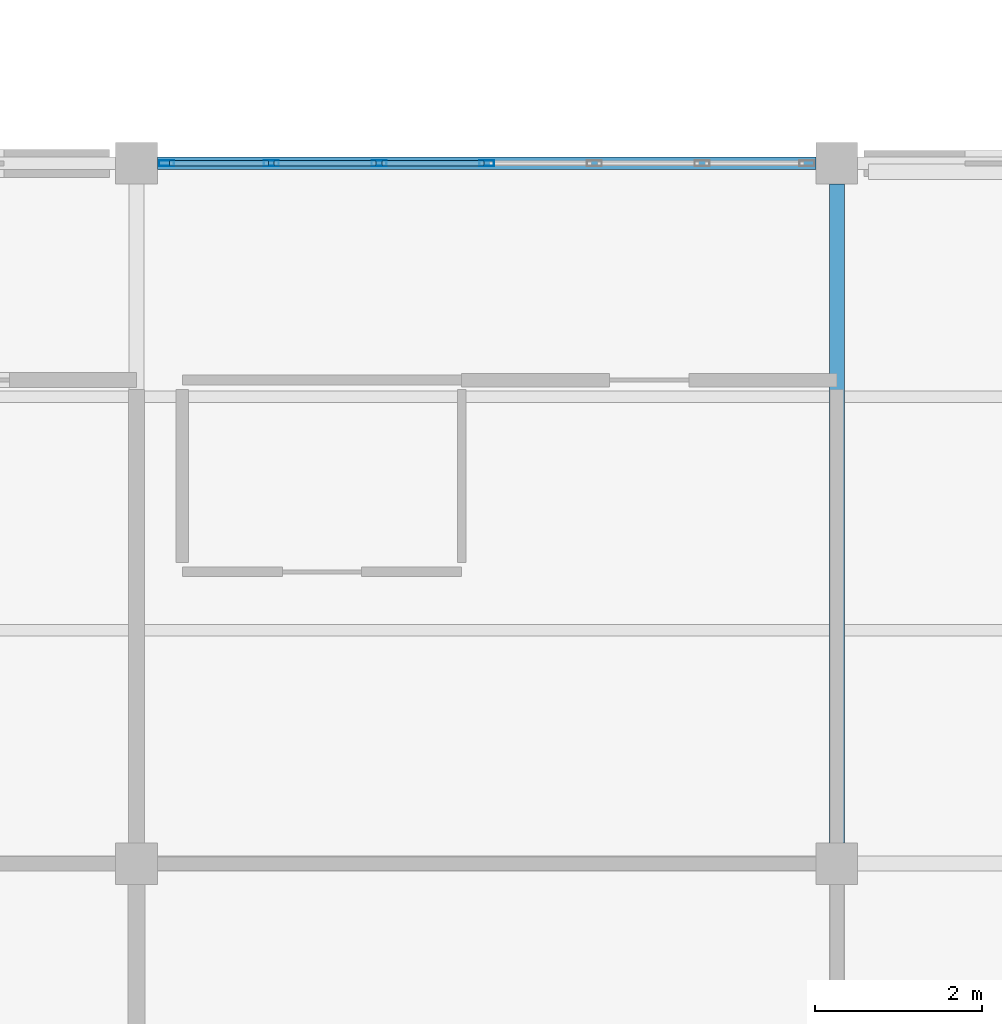
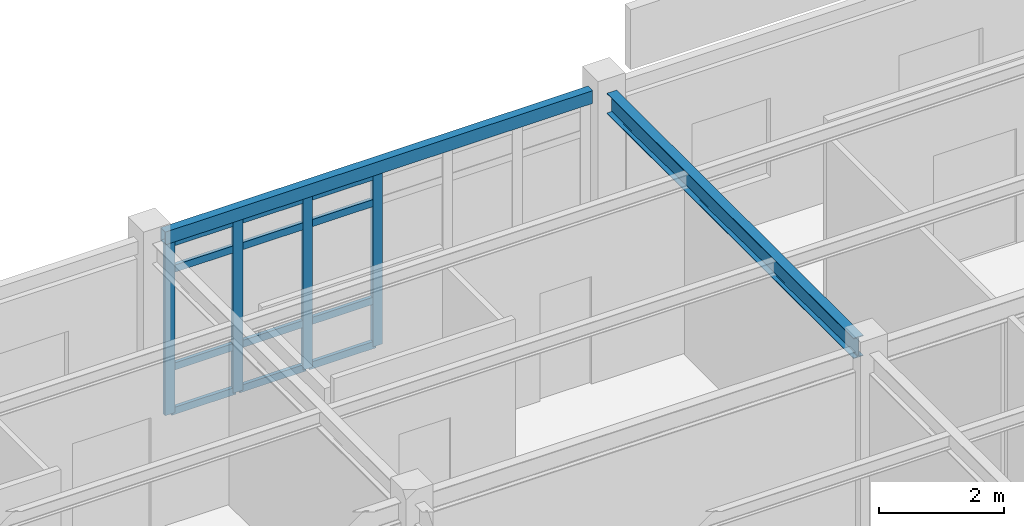
# One storey, part 8 of 53: 16 members, 2 beams, 1 element without a shape of its own.
"""IFC4 building model written with IfcOpenShell, lengths in metres."""

from ifc_helpers import new_model, si_unit, direction, frame, origin, origin_2d, place, context, subcontext, project, spatial, hollow_rectangle, i_section, extrude, material, layer, layer_set, material_profile, profile_set, type_object, element, aggregate, save


model = new_model("IFC4")

# Units and contexts
model_context = context("Model", 3, precision=1e-05, world=origin(), true_north=direction((0.0, 1.0)))
body_context = subcontext(model_context, "Body", "Model", "MODEL_VIEW")
ifc_project = project(units=[si_unit("LENGTHUNIT", "METRE"), si_unit("AREAUNIT", "SQUARE_METRE"), si_unit("VOLUMEUNIT", "CUBIC_METRE"), si_unit("PLANEANGLEUNIT", "RADIAN"), si_unit("MASSUNIT", "GRAM", prefix="KILO")], contexts=[model_context])

# Site, building, storey
site_placement = place(None, origin())
site = spatial("IfcSite", under=ifc_project, at=site_placement, CompositionType="ELEMENT")
building_placement = place(site_placement, origin())
building = spatial("IfcBuilding", under=site, at=building_placement, Name="Bramfleet General Hospital", CompositionType="ELEMENT")
storey_placement = place(building_placement, frame((0.0, 0.0, 26.39990234375)))
storey = spatial("IfcBuildingStorey", under=building, at=storey_placement, Name="L06", CompositionType="ELEMENT", Elevation=26.39990234375)

# Beams
ifc_material_1 = material(Name="Steel S355", Category="steel")
ifc_material_profile_1 = material_profile(ifc_material_1, i_section(OverallWidth=0.179931640625, OverallDepth=0.39990234375, WebThickness=0.008544921875, FlangeThickness=0.013427734375, FilletRadius=0.02099609375, at=origin_2d()), Name="IPE 400")
ifc_profile_set_1 = profile_set([ifc_material_profile_1], Name="Steel S355")
beam_type_1 = type_object("IfcBeamType", Name="BM-IPE400", PredefinedType="BEAM", material=ifc_profile_set_1)
beam_1_placement = place(storey_placement, frame((134.39990234375, 17.050048828125, 3.420166015625), z_axis=(0.0, 1.0, 0.0), x_axis=(-1.0, 0.0, 0.0)))
element("IfcBeam", 1, at=beam_1_placement, inside=storey, type_object=beam_type_1, Name="L06 Grid Beam Y 16-02", PredefinedType="BEAM", context=body_context, shape_type="SweptSolid", body=[
    extrude(i_section(OverallWidth=0.179931640625, OverallDepth=0.39990234375, WebThickness=0.008544921875, FlangeThickness=0.013427734375, FilletRadius=0.02099609375, at=origin_2d()), origin(), (0.0, 0.0, 1.0), 7.89990234375),
])
ifc_material_profile_2 = material_profile(ifc_material_1, hollow_rectangle(XDim=0.14990234375, YDim=0.25, WallThickness=0.010009765625, at=origin_2d()), Name="RHS 250x150x10.0")
ifc_profile_set_2 = profile_set([ifc_material_profile_2], Name="Steel S355")
beam_type_2 = type_object("IfcBeamType", Name="BM-RHS250", PredefinedType="SPANDREL", material=ifc_profile_set_2)
beam_2_placement = place(storey_placement, frame((126.25, 25.199951171875, 3.4951171875), z_axis=(1.0, 0.0, 0.0), x_axis=(0.0, 1.0, 0.0)))
element("IfcBeam", 2, at=beam_2_placement, inside=storey, type_object=beam_type_2, Name="L06 Grid Beam X 15-03", PredefinedType="SPANDREL", context=body_context, shape_type="SweptSolid", body=[
    extrude(hollow_rectangle(XDim=0.14990234375, YDim=0.25, WallThickness=0.010009765625, at=origin_2d()), origin(), (0.0, 0.0, 1.0), 7.89990234375),
])

# Curtain wall, members
ifc_material_2 = material(Name="Anodised aluminium and low-E triple glazing", Category="aluminium")
ifc_layer = layer(ifc_material_2, 0.179931640625, Name="CWT-CW-03")
ifc_layer_set = layer_set([ifc_layer], Name="Anodised aluminium and low-E triple glazing")
curtain_wall_type = type_object("IfcCurtainWallType", Name="CWT-CW-03", PredefinedType="USERDEFINED", material=ifc_layer_set)
curtain_wall_placement = place(storey_placement, origin())
curtain_wall = element("IfcCurtainWall", 3, at=curtain_wall_placement, inside=storey, type_object=curtain_wall_type, Name="L06 Curtain Wall 219", ObjectType="Unitised curtain wall", PredefinedType="USERDEFINED")
ifc_material_3 = material(Name="Anodised aluminium EN AW-6060", Category="aluminium")
ifc_material_profile_3 = material_profile(ifc_material_3, hollow_rectangle(XDim=0.070068359375, YDim=0.179931640625, WallThickness=0.00390625, at=origin_2d()), Name="ALU 180x70x4.0")
ifc_profile_set_3 = profile_set([ifc_material_profile_3], Name="Anodised aluminium EN AW-6060")
member_type_1 = type_object("IfcMemberType", Name="CWM-ALU180", PredefinedType="MULLION", material=ifc_profile_set_3)
member_1_placement = place(storey_placement, frame((126.360107421875, 25.199951171875, 0.0), z_axis=(0.0, 0.0, 1.0), x_axis=(0.0, 1.0, 0.0)))
member_1 = element("IfcMember", 4, at=member_1_placement, type_object=member_type_1, Name="CW-03 mullion 1", PredefinedType="MULLION", context=body_context, shape_type="SweptSolid", body=[
    extrude(hollow_rectangle(XDim=0.070068359375, YDim=0.179931640625, WallThickness=0.00390625, at=origin_2d()), origin(), (0.0, 0.0, 1.0), 3.360107421875),
])
member_2_placement = place(storey_placement, frame((127.61669921875, 25.199951171875, 0.0), z_axis=(0.0, 0.0, 1.0), x_axis=(0.0, 1.0, 0.0)))
member_2 = element("IfcMember", 5, at=member_2_placement, type_object=member_type_1, Name="CW-03 mullion 2", PredefinedType="MULLION", context=body_context, shape_type="SweptSolid", body=[
    extrude(hollow_rectangle(XDim=0.070068359375, YDim=0.179931640625, WallThickness=0.00390625, at=origin_2d()), origin(), (0.0, 0.0, 1.0), 3.360107421875),
])
member_3_placement = place(storey_placement, frame((128.908447265625, 25.199951171875, 0.0), z_axis=(0.0, 0.0, 1.0), x_axis=(0.0, 1.0, 0.0)))
member_3 = element("IfcMember", 6, at=member_3_placement, type_object=member_type_1, Name="CW-03 mullion 3", PredefinedType="MULLION", context=body_context, shape_type="SweptSolid", body=[
    extrude(hollow_rectangle(XDim=0.070068359375, YDim=0.179931640625, WallThickness=0.00390625, at=origin_2d()), origin(), (0.0, 0.0, 1.0), 3.360107421875),
])
member_4_placement = place(storey_placement, frame((130.199951171875, 25.199951171875, 0.0), z_axis=(0.0, 0.0, 1.0), x_axis=(0.0, 1.0, 0.0)))
member_4 = element("IfcMember", 7, at=member_4_placement, type_object=member_type_1, Name="CW-03 mullion 4", PredefinedType="MULLION", context=body_context, shape_type="SweptSolid", body=[
    extrude(hollow_rectangle(XDim=0.070068359375, YDim=0.179931640625, WallThickness=0.00390625, at=origin_2d()), origin(), (0.0, 0.0, 1.0), 3.360107421875),
])
ifc_material_profile_4 = material_profile(ifc_material_3, hollow_rectangle(XDim=0.06494140625, YDim=0.139892578125, WallThickness=0.00390625, at=origin_2d()), Name="ALU 140x65x4.0")
ifc_profile_set_4 = profile_set([ifc_material_profile_4], Name="Anodised aluminium EN AW-6060")
member_type_2 = type_object("IfcMemberType", Name="CWT-ALU140", PredefinedType="USERDEFINED", material=ifc_profile_set_4)
member_5_placement = place(storey_placement, frame((126.39501953125, 25.199951171875, 0.03271484375), z_axis=(1.0, 0.0, 0.0), x_axis=(0.0, 1.0, 0.0)))
member_5 = element("IfcMember", 8, at=member_5_placement, type_object=member_type_2, Name="CW-03 transom 1.1", ObjectType="TRANSOM", PredefinedType="USERDEFINED", context=body_context, shape_type="SweptSolid", body=[
    extrude(hollow_rectangle(XDim=0.06494140625, YDim=0.139892578125, WallThickness=0.00390625, at=origin_2d()), origin(), (0.0, 0.0, 1.0), 1.186767578125),
])
member_6_placement = place(storey_placement, frame((126.39501953125, 25.199951171875, 0.900146484375), z_axis=(1.0, 0.0, 0.0), x_axis=(0.0, 1.0, 0.0)))
member_6 = element("IfcMember", 9, at=member_6_placement, type_object=member_type_2, Name="CW-03 transom 1.2", ObjectType="TRANSOM", PredefinedType="USERDEFINED", context=body_context, shape_type="SweptSolid", body=[
    extrude(hollow_rectangle(XDim=0.06494140625, YDim=0.139892578125, WallThickness=0.00390625, at=origin_2d()), origin(), (0.0, 0.0, 1.0), 1.186767578125),
])
member_7_placement = place(storey_placement, frame((126.39501953125, 25.199951171875, 2.81005859375), z_axis=(1.0, 0.0, 0.0), x_axis=(0.0, 1.0, 0.0)))
member_7 = element("IfcMember", 10, at=member_7_placement, type_object=member_type_2, Name="CW-03 transom 1.3", ObjectType="TRANSOM", PredefinedType="USERDEFINED", context=body_context, shape_type="SweptSolid", body=[
    extrude(hollow_rectangle(XDim=0.06494140625, YDim=0.139892578125, WallThickness=0.00390625, at=origin_2d()), origin(), (0.0, 0.0, 1.0), 1.186767578125),
])
member_8_placement = place(storey_placement, frame((126.39501953125, 25.199951171875, 3.32763671875), z_axis=(1.0, 0.0, 0.0), x_axis=(0.0, 1.0, 0.0)))
member_8 = element("IfcMember", 11, at=member_8_placement, type_object=member_type_2, Name="CW-03 transom 1.4", ObjectType="TRANSOM", PredefinedType="USERDEFINED", context=body_context, shape_type="SweptSolid", body=[
    extrude(hollow_rectangle(XDim=0.06494140625, YDim=0.139892578125, WallThickness=0.00390625, at=origin_2d()), origin(), (0.0, 0.0, 1.0), 1.186767578125),
])
member_9_placement = place(storey_placement, frame((127.651611328125, 25.199951171875, 0.03271484375), z_axis=(1.0, 0.0, 0.0), x_axis=(0.0, 1.0, 0.0)))
member_9 = element("IfcMember", 12, at=member_9_placement, type_object=member_type_2, Name="CW-03 transom 2.1", ObjectType="TRANSOM", PredefinedType="USERDEFINED", context=body_context, shape_type="SweptSolid", body=[
    extrude(hollow_rectangle(XDim=0.06494140625, YDim=0.139892578125, WallThickness=0.00390625, at=origin_2d()), origin(), (0.0, 0.0, 1.0), 1.2216796875),
])
member_10_placement = place(storey_placement, frame((127.651611328125, 25.199951171875, 0.900146484375), z_axis=(1.0, 0.0, 0.0), x_axis=(0.0, 1.0, 0.0)))
member_10 = element("IfcMember", 13, at=member_10_placement, type_object=member_type_2, Name="CW-03 transom 2.2", ObjectType="TRANSOM", PredefinedType="USERDEFINED", context=body_context, shape_type="SweptSolid", body=[
    extrude(hollow_rectangle(XDim=0.06494140625, YDim=0.139892578125, WallThickness=0.00390625, at=origin_2d()), origin(), (0.0, 0.0, 1.0), 1.2216796875),
])
member_11_placement = place(storey_placement, frame((127.651611328125, 25.199951171875, 2.81005859375), z_axis=(1.0, 0.0, 0.0), x_axis=(0.0, 1.0, 0.0)))
member_11 = element("IfcMember", 14, at=member_11_placement, type_object=member_type_2, Name="CW-03 transom 2.3", ObjectType="TRANSOM", PredefinedType="USERDEFINED", context=body_context, shape_type="SweptSolid", body=[
    extrude(hollow_rectangle(XDim=0.06494140625, YDim=0.139892578125, WallThickness=0.00390625, at=origin_2d()), origin(), (0.0, 0.0, 1.0), 1.2216796875),
])
member_12_placement = place(storey_placement, frame((127.651611328125, 25.199951171875, 3.32763671875), z_axis=(1.0, 0.0, 0.0), x_axis=(0.0, 1.0, 0.0)))
member_12 = element("IfcMember", 15, at=member_12_placement, type_object=member_type_2, Name="CW-03 transom 2.4", ObjectType="TRANSOM", PredefinedType="USERDEFINED", context=body_context, shape_type="SweptSolid", body=[
    extrude(hollow_rectangle(XDim=0.06494140625, YDim=0.139892578125, WallThickness=0.00390625, at=origin_2d()), origin(), (0.0, 0.0, 1.0), 1.2216796875),
])
member_13_placement = place(storey_placement, frame((128.943359375, 25.199951171875, 0.03271484375), z_axis=(1.0, 0.0, 0.0), x_axis=(0.0, 1.0, 0.0)))
member_13 = element("IfcMember", 16, at=member_13_placement, type_object=member_type_2, Name="CW-03 transom 3.1", ObjectType="TRANSOM", PredefinedType="USERDEFINED", context=body_context, shape_type="SweptSolid", body=[
    extrude(hollow_rectangle(XDim=0.06494140625, YDim=0.139892578125, WallThickness=0.00390625, at=origin_2d()), origin(), (0.0, 0.0, 1.0), 1.2216796875),
])
member_14_placement = place(storey_placement, frame((128.943359375, 25.199951171875, 0.900146484375), z_axis=(1.0, 0.0, 0.0), x_axis=(0.0, 1.0, 0.0)))
member_14 = element("IfcMember", 17, at=member_14_placement, type_object=member_type_2, Name="CW-03 transom 3.2", ObjectType="TRANSOM", PredefinedType="USERDEFINED", context=body_context, shape_type="SweptSolid", body=[
    extrude(hollow_rectangle(XDim=0.06494140625, YDim=0.139892578125, WallThickness=0.00390625, at=origin_2d()), origin(), (0.0, 0.0, 1.0), 1.2216796875),
])
member_15_placement = place(storey_placement, frame((128.943359375, 25.199951171875, 2.81005859375), z_axis=(1.0, 0.0, 0.0), x_axis=(0.0, 1.0, 0.0)))
member_15 = element("IfcMember", 18, at=member_15_placement, type_object=member_type_2, Name="CW-03 transom 3.3", ObjectType="TRANSOM", PredefinedType="USERDEFINED", context=body_context, shape_type="SweptSolid", body=[
    extrude(hollow_rectangle(XDim=0.06494140625, YDim=0.139892578125, WallThickness=0.00390625, at=origin_2d()), origin(), (0.0, 0.0, 1.0), 1.2216796875),
])
member_16_placement = place(storey_placement, frame((128.943359375, 25.199951171875, 3.32763671875), z_axis=(1.0, 0.0, 0.0), x_axis=(0.0, 1.0, 0.0)))
member_16 = element("IfcMember", 19, at=member_16_placement, type_object=member_type_2, Name="CW-03 transom 3.4", ObjectType="TRANSOM", PredefinedType="USERDEFINED", context=body_context, shape_type="SweptSolid", body=[
    extrude(hollow_rectangle(XDim=0.06494140625, YDim=0.139892578125, WallThickness=0.00390625, at=origin_2d()), origin(), (0.0, 0.0, 1.0), 1.2216796875),
])
aggregate(curtain_wall, [member_1, member_2, member_3, member_4, member_5, member_6, member_7, member_8, member_9, member_10, member_11, member_12, member_13, member_14, member_15, member_16])

save(model, "model.ifc")
